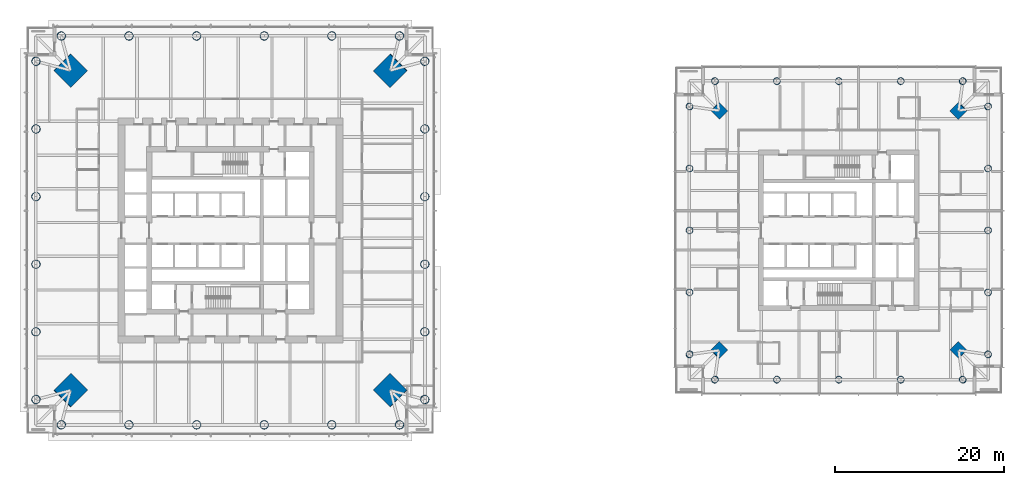
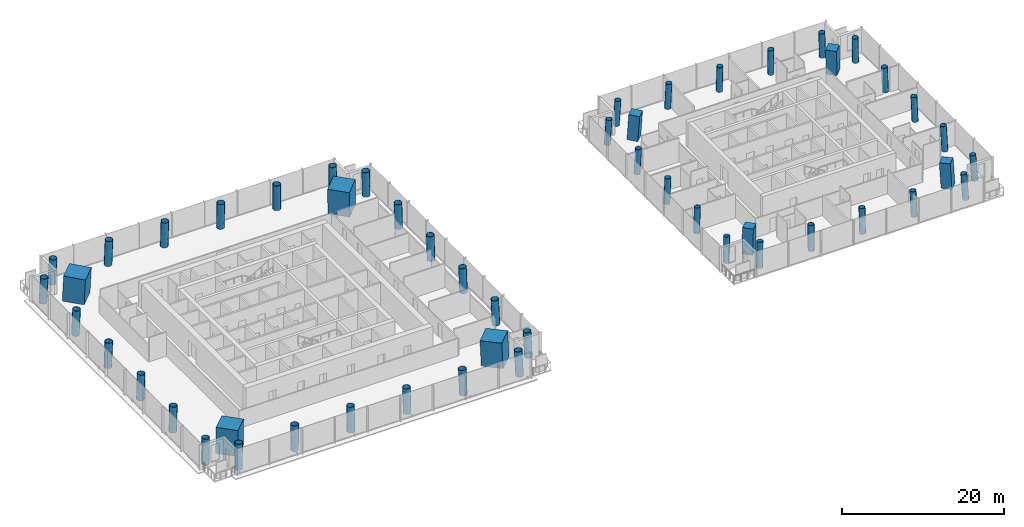
# One storey, part 1 of 26: 52 columns.
"""IFC4 building model written with IfcOpenShell, lengths in metres."""

from ifc_helpers import new_model, si_unit, direction, frame, origin, origin_2d, place, context, subcontext, project, spatial, rectangle, hollow_circle, extrude, material, material_profile, profile_set, type_object, element, save


model = new_model("IFC4")

# Units and contexts
model_context = context("Model", 3, precision=1e-05, world=origin(), true_north=direction((0.0, 1.0)))
body_context = subcontext(model_context, "Body", "Model", "MODEL_VIEW")
ifc_project = project(units=[si_unit("LENGTHUNIT", "METRE"), si_unit("AREAUNIT", "SQUARE_METRE"), si_unit("VOLUMEUNIT", "CUBIC_METRE"), si_unit("PLANEANGLEUNIT", "RADIAN"), si_unit("MASSUNIT", "GRAM", prefix="KILO")], contexts=[model_context])

# Site, building, storey
site_placement = place(None, origin())
site = spatial("IfcSite", under=ifc_project, at=site_placement, CompositionType="ELEMENT")
building_placement = place(site_placement, origin())
building = spatial("IfcBuilding", under=site, at=building_placement, Name="Ostroluk Exchange", CompositionType="ELEMENT")
storey_placement = place(building_placement, frame((0.0, 0.0, 51.39990234375)))
storey = spatial("IfcBuildingStorey", under=building, at=storey_placement, Name="L12", CompositionType="ELEMENT", Elevation=51.39990234375)

# Columns
ifc_material_1 = material(Name="Concrete C50/60", Category="concrete")
ifc_material_profile_1 = material_profile(ifc_material_1, rectangle(XDim=1.39990234375, YDim=1.39990234375, at=origin_2d()), Name="RC 1400x1400")
ifc_profile_set_1 = profile_set([ifc_material_profile_1], Name="Concrete C50/60")
column_type_1 = type_object("IfcColumnType", Name="Mega column RC 1400x1400", PredefinedType="COLUMN", material=ifc_profile_set_1)
for number, where, z_axis, x_axis, name in (
    (1, (131.189697265625, 60.189697265625, 0.0), (-0.043029647111, -0.043029647111, 0.998146732169), (0.707106781187, -0.707106781187, 0.0), "T2 mega column NE"),
    (2, (102.810302734375, 60.189697265625, 0.0), (0.043029647111, -0.043029647111, 0.998146732169), (0.707106781187, 0.707106781187, 0.0), "T2 mega column NW"),
    (3, (102.810302734375, 31.810302734375, 0.0), (0.043029647111, 0.043029647111, 0.998146732169), (-0.707106781187, 0.707106781187, 0.0), "T2 mega column SW"),
    (4, (131.189697265625, 31.810302734375, 0.0), (-0.043029647111, 0.043029647111, 0.998146732169), (-0.707106781187, -0.707106781187, 0.0), "T2 mega column SE"),
):
    element("IfcColumn", number, at=place(storey_placement, frame(where, z_axis=z_axis, x_axis=x_axis)), inside=storey, type_object=column_type_1, Name=name, PredefinedType="COLUMN", context=body_context, shape_type="SweptSolid", body=[
        extrude(rectangle(XDim=1.39990234375, YDim=1.39990234375, at=origin_2d()), origin(), (0.0, 0.0, 1.0), 3.80712890625),
    ])
ifc_material_2 = material(Name="Concrete C50/60", Category="concrete")
ifc_material_profile_2 = material_profile(ifc_material_2, rectangle(XDim=2.800048828125, YDim=2.800048828125, at=origin_2d()), Name="RC 2800x2800")
ifc_profile_set_2 = profile_set([ifc_material_profile_2], Name="Concrete C50/60")
column_type_2 = type_object("IfcColumnType", Name="Mega column RC 2800x2800", PredefinedType="COLUMN", material=ifc_profile_set_2)
for number, where, z_axis, x_axis, name in (
    (5, (63.928466796875, 64.928466796875, 0.0), (-0.031898107953, -0.031898107953, 0.998981992539), (0.707106781187, -0.707106781187, 0.0), "T1 mega column NE"),
    (6, (26.071533203125, 64.928466796875, 0.0), (0.031898107953, -0.031898107953, 0.998981992539), (0.707106781187, 0.707106781187, 0.0), "T1 mega column NW"),
    (7, (26.071533203125, 27.071533203125, 0.0), (0.031898107953, 0.031898107953, 0.998981992539), (-0.707106781187, 0.707106781187, 0.0), "T1 mega column SW"),
    (8, (63.928466796875, 27.071533203125, 0.0), (-0.031898107953, 0.031898107953, 0.998981992539), (-0.707106781187, -0.707106781187, 0.0), "T1 mega column SE"),
):
    element("IfcColumn", number, at=place(storey_placement, frame(where, z_axis=z_axis, x_axis=x_axis)), inside=storey, type_object=column_type_2, Name=name, PredefinedType="COLUMN", context=body_context, shape_type="SweptSolid", body=[
        extrude(rectangle(XDim=2.800048828125, YDim=2.800048828125, at=origin_2d()), origin(), (0.0, 0.0, 1.0), 3.803955078125),
    ])
ifc_material_3 = material(Name="Steel S460", Category="steel")
ifc_material_profile_3 = material_profile(ifc_material_3, hollow_circle(Radius=0.508056640625, WallThickness=0.0400390625, at=origin_2d()), Name="CHS 1016x40")
ifc_profile_set_3 = profile_set([ifc_material_profile_3], Name="Steel S460")
column_type_3 = type_object("IfcColumnType", Name="Perimeter column CHS 1016x40", PredefinedType="COLUMN", material=ifc_profile_set_3)
for number, where, z_axis, x_axis, name in (
    (9, (68.028564453125, 25.971435546875, 0.0), (-0.031898107953, 0.031898107953, 0.998981992539), (-0.707106781187, -0.707106781187, 0.0), "T1 east face column E0"),
    (10, (68.028564453125, 66.028564453125, 0.0), (-0.031898107953, -0.031898107953, 0.998981992539), (0.707106781187, -0.707106781187, 0.0), "T1 east face column E1"),
):
    element("IfcColumn", number, at=place(storey_placement, frame(where, z_axis=z_axis, x_axis=x_axis)), inside=storey, type_object=column_type_3, Name=name, PredefinedType="COLUMN", context=body_context, shape_type="SweptSolid", body=[
        extrude(hollow_circle(Radius=0.508056640625, WallThickness=0.0400390625, at=origin_2d()), origin(), (0.0, 0.0, 1.0), 3.803955078125),
    ])
column_1_placement = place(storey_placement, frame((68.028564453125, 33.98291015625, 0.0), z_axis=(-0.031908506785, 0.019132263625, 0.999307662176), x_axis=(-0.514241961696, -0.857645150882, 0.0)))
element("IfcColumn", 11, at=column_1_placement, inside=storey, type_object=column_type_3, Name="T1 east face column I1", PredefinedType="COLUMN", context=body_context, shape_type="SweptSolid", body=[
    extrude(hollow_circle(Radius=0.508056640625, WallThickness=0.0400390625, at=origin_2d()), origin(), (0.0, 0.0, 1.0), 3.802734375),
])
for number, where, z_axis, x_axis, name in (
    (12, (68.028564453125, 41.994384765625, 0.0), (-0.031913703469, 0.006357055621, 0.999470411455), (-0.195357113251, -0.980732174603, 0.0), "T1 east face column I2"),
    (13, (68.028564453125, 50.005615234375, 0.0), (-0.031913703469, -0.006357055621, 0.999470411455), (0.195357113251, -0.980732174603, 0.0), "T1 east face column I3"),
):
    element("IfcColumn", number, at=place(storey_placement, frame(where, z_axis=z_axis, x_axis=x_axis)), inside=storey, type_object=column_type_3, Name=name, PredefinedType="COLUMN", context=body_context, shape_type="SweptSolid", body=[
        extrude(hollow_circle(Radius=0.508056640625, WallThickness=0.0400390625, at=origin_2d()), origin(), (0.0, 0.0, 1.0), 3.802001953125),
    ])
column_2_placement = place(storey_placement, frame((68.028564453125, 58.01708984375, 0.0), z_axis=(-0.031908506785, -0.019132263625, 0.999307662176), x_axis=(0.514241961696, -0.857645150882, 0.0)))
element("IfcColumn", 14, at=column_2_placement, inside=storey, type_object=column_type_3, Name="T1 east face column I4", PredefinedType="COLUMN", context=body_context, shape_type="SweptSolid", body=[
    extrude(hollow_circle(Radius=0.508056640625, WallThickness=0.0400390625, at=origin_2d()), origin(), (0.0, 0.0, 1.0), 3.802734375),
])
for number, where, z_axis, x_axis, name in (
    (15, (65.028564453125, 69.028564453125, 0.0), (-0.031898107953, -0.031898107953, 0.998981992539), (0.707106781187, -0.707106781187, 0.0), "T1 north face column E0"),
    (16, (24.971435546875, 69.028564453125, 0.0), (0.031898107953, -0.031898107953, 0.998981992539), (0.707106781187, 0.707106781187, 0.0), "T1 north face column E1"),
):
    element("IfcColumn", number, at=place(storey_placement, frame(where, z_axis=z_axis, x_axis=x_axis)), inside=storey, type_object=column_type_3, Name=name, PredefinedType="COLUMN", context=body_context, shape_type="SweptSolid", body=[
        extrude(hollow_circle(Radius=0.508056640625, WallThickness=0.0400390625, at=origin_2d()), origin(), (0.0, 0.0, 1.0), 3.803955078125),
    ])
column_3_placement = place(storey_placement, frame((57.01708984375, 69.028564453125, 0.0), z_axis=(-0.019132263625, -0.031908506785, 0.999307662176), x_axis=(0.857645150882, -0.514241961696, 0.0)))
element("IfcColumn", 17, at=column_3_placement, inside=storey, type_object=column_type_3, Name="T1 north face column I1", PredefinedType="COLUMN", context=body_context, shape_type="SweptSolid", body=[
    extrude(hollow_circle(Radius=0.508056640625, WallThickness=0.0400390625, at=origin_2d()), origin(), (0.0, 0.0, 1.0), 3.802734375),
])
for number, where, z_axis, x_axis, name in (
    (18, (49.005615234375, 69.028564453125, 0.0), (-0.006357055621, -0.031913703469, 0.999470411455), (0.980732174603, -0.195357113251, 0.0), "T1 north face column I2"),
    (19, (40.994384765625, 69.028564453125, 0.0), (0.006357055621, -0.031913703469, 0.999470411455), (0.980732174603, 0.195357113251, 0.0), "T1 north face column I3"),
):
    element("IfcColumn", number, at=place(storey_placement, frame(where, z_axis=z_axis, x_axis=x_axis)), inside=storey, type_object=column_type_3, Name=name, PredefinedType="COLUMN", context=body_context, shape_type="SweptSolid", body=[
        extrude(hollow_circle(Radius=0.508056640625, WallThickness=0.0400390625, at=origin_2d()), origin(), (0.0, 0.0, 1.0), 3.802001953125),
    ])
column_4_placement = place(storey_placement, frame((32.98291015625, 69.028564453125, 0.0), z_axis=(0.019132263625, -0.031908506785, 0.999307662176), x_axis=(0.857645150882, 0.514241961696, 0.0)))
element("IfcColumn", 20, at=column_4_placement, inside=storey, type_object=column_type_3, Name="T1 north face column I4", PredefinedType="COLUMN", context=body_context, shape_type="SweptSolid", body=[
    extrude(hollow_circle(Radius=0.508056640625, WallThickness=0.0400390625, at=origin_2d()), origin(), (0.0, 0.0, 1.0), 3.802734375),
])
for number, where, z_axis, x_axis, name in (
    (21, (21.971435546875, 66.028564453125, 0.0), (0.031898107953, -0.031898107953, 0.998981992539), (0.707106781187, 0.707106781187, 0.0), "T1 west face column E0"),
    (22, (21.971435546875, 25.971435546875, 0.0), (0.031898107953, 0.031898107953, 0.998981992539), (-0.707106781187, 0.707106781187, 0.0), "T1 west face column E1"),
):
    element("IfcColumn", number, at=place(storey_placement, frame(where, z_axis=z_axis, x_axis=x_axis)), inside=storey, type_object=column_type_3, Name=name, PredefinedType="COLUMN", context=body_context, shape_type="SweptSolid", body=[
        extrude(hollow_circle(Radius=0.508056640625, WallThickness=0.0400390625, at=origin_2d()), origin(), (0.0, 0.0, 1.0), 3.803955078125),
    ])
column_5_placement = place(storey_placement, frame((21.971435546875, 58.01708984375, 0.0), z_axis=(0.031908506785, -0.019132263625, 0.999307662176), x_axis=(0.514241961696, 0.857645150882, 0.0)))
element("IfcColumn", 23, at=column_5_placement, inside=storey, type_object=column_type_3, Name="T1 west face column I1", PredefinedType="COLUMN", context=body_context, shape_type="SweptSolid", body=[
    extrude(hollow_circle(Radius=0.508056640625, WallThickness=0.0400390625, at=origin_2d()), origin(), (0.0, 0.0, 1.0), 3.802734375),
])
for number, where, z_axis, x_axis, name in (
    (24, (21.971435546875, 50.005615234375, 0.0), (0.031913703469, -0.006357055621, 0.999470411455), (0.195357113251, 0.980732174603, 0.0), "T1 west face column I2"),
    (25, (21.971435546875, 41.994384765625, 0.0), (0.031913703469, 0.006357055621, 0.999470411455), (-0.195357113251, 0.980732174603, 0.0), "T1 west face column I3"),
):
    element("IfcColumn", number, at=place(storey_placement, frame(where, z_axis=z_axis, x_axis=x_axis)), inside=storey, type_object=column_type_3, Name=name, PredefinedType="COLUMN", context=body_context, shape_type="SweptSolid", body=[
        extrude(hollow_circle(Radius=0.508056640625, WallThickness=0.0400390625, at=origin_2d()), origin(), (0.0, 0.0, 1.0), 3.802001953125),
    ])
column_6_placement = place(storey_placement, frame((21.971435546875, 33.98291015625, 0.0), z_axis=(0.031908506785, 0.019132263625, 0.999307662176), x_axis=(-0.514241961696, 0.857645150882, 0.0)))
element("IfcColumn", 26, at=column_6_placement, inside=storey, type_object=column_type_3, Name="T1 west face column I4", PredefinedType="COLUMN", context=body_context, shape_type="SweptSolid", body=[
    extrude(hollow_circle(Radius=0.508056640625, WallThickness=0.0400390625, at=origin_2d()), origin(), (0.0, 0.0, 1.0), 3.802734375),
])
for number, where, z_axis, x_axis, name in (
    (27, (24.971435546875, 22.971435546875, 0.0), (0.031898107953, 0.031898107953, 0.998981992539), (-0.707106781187, 0.707106781187, 0.0), "T1 south face column E0"),
    (28, (65.028564453125, 22.971435546875, 0.0), (-0.031898107953, 0.031898107953, 0.998981992539), (-0.707106781187, -0.707106781187, 0.0), "T1 south face column E1"),
):
    element("IfcColumn", number, at=place(storey_placement, frame(where, z_axis=z_axis, x_axis=x_axis)), inside=storey, type_object=column_type_3, Name=name, PredefinedType="COLUMN", context=body_context, shape_type="SweptSolid", body=[
        extrude(hollow_circle(Radius=0.508056640625, WallThickness=0.0400390625, at=origin_2d()), origin(), (0.0, 0.0, 1.0), 3.803955078125),
    ])
column_7_placement = place(storey_placement, frame((32.98291015625, 22.971435546875, 0.0), z_axis=(0.019132263625, 0.031908506785, 0.999307662176), x_axis=(-0.857645150882, 0.514241961696, 0.0)))
element("IfcColumn", 29, at=column_7_placement, inside=storey, type_object=column_type_3, Name="T1 south face column I1", PredefinedType="COLUMN", context=body_context, shape_type="SweptSolid", body=[
    extrude(hollow_circle(Radius=0.508056640625, WallThickness=0.0400390625, at=origin_2d()), origin(), (0.0, 0.0, 1.0), 3.802734375),
])
for number, where, z_axis, x_axis, name in (
    (30, (40.994384765625, 22.971435546875, 0.0), (0.006357055621, 0.031913703469, 0.999470411455), (-0.980732174603, 0.195357113251, 0.0), "T1 south face column I2"),
    (31, (49.005615234375, 22.971435546875, 0.0), (-0.006357055621, 0.031913703469, 0.999470411455), (-0.980732174603, -0.195357113251, 0.0), "T1 south face column I3"),
):
    element("IfcColumn", number, at=place(storey_placement, frame(where, z_axis=z_axis, x_axis=x_axis)), inside=storey, type_object=column_type_3, Name=name, PredefinedType="COLUMN", context=body_context, shape_type="SweptSolid", body=[
        extrude(hollow_circle(Radius=0.508056640625, WallThickness=0.0400390625, at=origin_2d()), origin(), (0.0, 0.0, 1.0), 3.802001953125),
    ])
column_8_placement = place(storey_placement, frame((57.01708984375, 22.971435546875, 0.0), z_axis=(-0.019132263625, 0.031908506785, 0.999307662176), x_axis=(-0.857645150882, -0.514241961696, 0.0)))
element("IfcColumn", 32, at=column_8_placement, inside=storey, type_object=column_type_3, Name="T1 south face column I4", PredefinedType="COLUMN", context=body_context, shape_type="SweptSolid", body=[
    extrude(hollow_circle(Radius=0.508056640625, WallThickness=0.0400390625, at=origin_2d()), origin(), (0.0, 0.0, 1.0), 3.802734375),
])
ifc_material_4 = material(Name="Steel S460", Category="steel")
ifc_material_profile_4 = material_profile(ifc_material_4, hollow_circle(Radius=0.406494140625, WallThickness=0.030029296875, at=origin_2d()), Name="CHS 813x30")
ifc_profile_set_4 = profile_set([ifc_material_profile_4], Name="Steel S460")
column_type_4 = type_object("IfcColumnType", Name="Perimeter column CHS 813x30", PredefinedType="COLUMN", material=ifc_profile_set_4)
for number, where, z_axis, x_axis, name in (
    (33, (134.689697265625, 31.310302734375, 0.0), (-0.043029647111, 0.043029647111, 0.998146732169), (-0.707106781187, -0.707106781187, 0.0), "T2 east face column E0"),
    (34, (134.689697265625, 60.689697265625, 0.0), (-0.043029647111, -0.043029647111, 0.998146732169), (0.707106781187, -0.707106781187, 0.0), "T2 east face column E1"),
):
    element("IfcColumn", number, at=place(storey_placement, frame(where, z_axis=z_axis, x_axis=x_axis)), inside=storey, type_object=column_type_4, Name=name, PredefinedType="COLUMN", context=body_context, shape_type="SweptSolid", body=[
        extrude(hollow_circle(Radius=0.406494140625, WallThickness=0.030029296875, at=origin_2d()), origin(), (0.0, 0.0, 1.0), 3.80712890625),
    ])
column_9_placement = place(storey_placement, frame((134.689697265625, 38.6552734375, 0.0), z_axis=(-0.043059584825, 0.021497706284, 0.998841188968), x_axis=(-0.446680166538, -0.894693706707, 0.0)))
element("IfcColumn", 35, at=column_9_placement, inside=storey, type_object=column_type_4, Name="T2 east face column I1", PredefinedType="COLUMN", context=body_context, shape_type="SweptSolid", body=[
    extrude(hollow_circle(Radius=0.406494140625, WallThickness=0.030029296875, at=origin_2d()), origin(), (0.0, 0.0, 1.0), 3.804443359375),
])
column_10_placement = place(storey_placement, frame((134.689697265625, 46.0, 0.0), z_axis=(-0.043069538298, 0.0, 0.999072076915), x_axis=(0.0, -1.0, 0.0)))
element("IfcColumn", 36, at=column_10_placement, inside=storey, type_object=column_type_4, Name="T2 east face column I2", PredefinedType="COLUMN", context=body_context, shape_type="SweptSolid", body=[
    extrude(hollow_circle(Radius=0.406494140625, WallThickness=0.030029296875, at=origin_2d()), origin(), (0.0, 0.0, 1.0), 3.803466796875),
])
column_11_placement = place(storey_placement, frame((134.689697265625, 53.3447265625, 0.0), z_axis=(-0.043059584825, -0.021497706284, 0.998841188968), x_axis=(0.446680166538, -0.894693706707, 0.0)))
element("IfcColumn", 37, at=column_11_placement, inside=storey, type_object=column_type_4, Name="T2 east face column I3", PredefinedType="COLUMN", context=body_context, shape_type="SweptSolid", body=[
    extrude(hollow_circle(Radius=0.406494140625, WallThickness=0.030029296875, at=origin_2d()), origin(), (0.0, 0.0, 1.0), 3.804443359375),
])
for number, where, z_axis, x_axis, name in (
    (38, (131.689697265625, 63.689697265625, 0.0), (-0.043029647111, -0.043029647111, 0.998146732169), (0.707106781187, -0.707106781187, 0.0), "T2 north face column E0"),
    (39, (102.310302734375, 63.689697265625, 0.0), (0.043029647111, -0.043029647111, 0.998146732169), (0.707106781187, 0.707106781187, 0.0), "T2 north face column E1"),
):
    element("IfcColumn", number, at=place(storey_placement, frame(where, z_axis=z_axis, x_axis=x_axis)), inside=storey, type_object=column_type_4, Name=name, PredefinedType="COLUMN", context=body_context, shape_type="SweptSolid", body=[
        extrude(hollow_circle(Radius=0.406494140625, WallThickness=0.030029296875, at=origin_2d()), origin(), (0.0, 0.0, 1.0), 3.80712890625),
    ])
column_12_placement = place(storey_placement, frame((124.3447265625, 63.689697265625, 0.0), z_axis=(-0.021497706284, -0.043059584825, 0.998841188968), x_axis=(0.894693706707, -0.446680166538, 0.0)))
element("IfcColumn", 40, at=column_12_placement, inside=storey, type_object=column_type_4, Name="T2 north face column I1", PredefinedType="COLUMN", context=body_context, shape_type="SweptSolid", body=[
    extrude(hollow_circle(Radius=0.406494140625, WallThickness=0.030029296875, at=origin_2d()), origin(), (0.0, 0.0, 1.0), 3.804443359375),
])
column_13_placement = place(storey_placement, frame((117.0, 63.689697265625, 0.0), z_axis=(0.0, -0.043069538298, 0.999072076915), x_axis=(1.0, 0.0, 0.0)))
element("IfcColumn", 41, at=column_13_placement, inside=storey, type_object=column_type_4, Name="T2 north face column I2", PredefinedType="COLUMN", context=body_context, shape_type="SweptSolid", body=[
    extrude(hollow_circle(Radius=0.406494140625, WallThickness=0.030029296875, at=origin_2d()), origin(), (0.0, 0.0, 1.0), 3.803466796875),
])
column_14_placement = place(storey_placement, frame((109.6552734375, 63.689697265625, 0.0), z_axis=(0.021497706284, -0.043059584825, 0.998841188968), x_axis=(0.894693706707, 0.446680166538, 0.0)))
element("IfcColumn", 42, at=column_14_placement, inside=storey, type_object=column_type_4, Name="T2 north face column I3", PredefinedType="COLUMN", context=body_context, shape_type="SweptSolid", body=[
    extrude(hollow_circle(Radius=0.406494140625, WallThickness=0.030029296875, at=origin_2d()), origin(), (0.0, 0.0, 1.0), 3.804443359375),
])
for number, where, z_axis, x_axis, name in (
    (43, (99.310302734375, 60.689697265625, 0.0), (0.043029647111, -0.043029647111, 0.998146732169), (0.707106781187, 0.707106781187, 0.0), "T2 west face column E0"),
    (44, (99.310302734375, 31.310302734375, 0.0), (0.043029647111, 0.043029647111, 0.998146732169), (-0.707106781187, 0.707106781187, 0.0), "T2 west face column E1"),
):
    element("IfcColumn", number, at=place(storey_placement, frame(where, z_axis=z_axis, x_axis=x_axis)), inside=storey, type_object=column_type_4, Name=name, PredefinedType="COLUMN", context=body_context, shape_type="SweptSolid", body=[
        extrude(hollow_circle(Radius=0.406494140625, WallThickness=0.030029296875, at=origin_2d()), origin(), (0.0, 0.0, 1.0), 3.80712890625),
    ])
column_15_placement = place(storey_placement, frame((99.310302734375, 53.3447265625, 0.0), z_axis=(0.043059584825, -0.021497706284, 0.998841188968), x_axis=(0.446680166538, 0.894693706707, 0.0)))
element("IfcColumn", 45, at=column_15_placement, inside=storey, type_object=column_type_4, Name="T2 west face column I1", PredefinedType="COLUMN", context=body_context, shape_type="SweptSolid", body=[
    extrude(hollow_circle(Radius=0.406494140625, WallThickness=0.030029296875, at=origin_2d()), origin(), (0.0, 0.0, 1.0), 3.804443359375),
])
column_16_placement = place(storey_placement, frame((99.310302734375, 46.0, 0.0), z_axis=(0.043069538298, 0.0, 0.999072076915), x_axis=(0.0, 1.0, 0.0)))
element("IfcColumn", 46, at=column_16_placement, inside=storey, type_object=column_type_4, Name="T2 west face column I2", PredefinedType="COLUMN", context=body_context, shape_type="SweptSolid", body=[
    extrude(hollow_circle(Radius=0.406494140625, WallThickness=0.030029296875, at=origin_2d()), origin(), (0.0, 0.0, 1.0), 3.803466796875),
])
column_17_placement = place(storey_placement, frame((99.310302734375, 38.6552734375, 0.0), z_axis=(0.043059584825, 0.021497706284, 0.998841188968), x_axis=(-0.446680166538, 0.894693706707, 0.0)))
element("IfcColumn", 47, at=column_17_placement, inside=storey, type_object=column_type_4, Name="T2 west face column I3", PredefinedType="COLUMN", context=body_context, shape_type="SweptSolid", body=[
    extrude(hollow_circle(Radius=0.406494140625, WallThickness=0.030029296875, at=origin_2d()), origin(), (0.0, 0.0, 1.0), 3.804443359375),
])
for number, where, z_axis, x_axis, name in (
    (48, (102.310302734375, 28.310302734375, 0.0), (0.043029647111, 0.043029647111, 0.998146732169), (-0.707106781187, 0.707106781187, 0.0), "T2 south face column E0"),
    (49, (131.689697265625, 28.310302734375, 0.0), (-0.043029647111, 0.043029647111, 0.998146732169), (-0.707106781187, -0.707106781187, 0.0), "T2 south face column E1"),
):
    element("IfcColumn", number, at=place(storey_placement, frame(where, z_axis=z_axis, x_axis=x_axis)), inside=storey, type_object=column_type_4, Name=name, PredefinedType="COLUMN", context=body_context, shape_type="SweptSolid", body=[
        extrude(hollow_circle(Radius=0.406494140625, WallThickness=0.030029296875, at=origin_2d()), origin(), (0.0, 0.0, 1.0), 3.80712890625),
    ])
column_18_placement = place(storey_placement, frame((109.6552734375, 28.310302734375, 0.0), z_axis=(0.021497706284, 0.043059584825, 0.998841188968), x_axis=(-0.894693706707, 0.446680166538, 0.0)))
element("IfcColumn", 50, at=column_18_placement, inside=storey, type_object=column_type_4, Name="T2 south face column I1", PredefinedType="COLUMN", context=body_context, shape_type="SweptSolid", body=[
    extrude(hollow_circle(Radius=0.406494140625, WallThickness=0.030029296875, at=origin_2d()), origin(), (0.0, 0.0, 1.0), 3.804443359375),
])
column_19_placement = place(storey_placement, frame((117.0, 28.310302734375, 0.0), z_axis=(0.0, 0.043069538298, 0.999072076915), x_axis=(-1.0, 0.0, 0.0)))
element("IfcColumn", 51, at=column_19_placement, inside=storey, type_object=column_type_4, Name="T2 south face column I2", PredefinedType="COLUMN", context=body_context, shape_type="SweptSolid", body=[
    extrude(hollow_circle(Radius=0.406494140625, WallThickness=0.030029296875, at=origin_2d()), origin(), (0.0, 0.0, 1.0), 3.803466796875),
])
column_20_placement = place(storey_placement, frame((124.3447265625, 28.310302734375, 0.0), z_axis=(-0.021497706284, 0.043059584825, 0.998841188968), x_axis=(-0.894693706707, -0.446680166538, 0.0)))
element("IfcColumn", 52, at=column_20_placement, inside=storey, type_object=column_type_4, Name="T2 south face column I3", PredefinedType="COLUMN", context=body_context, shape_type="SweptSolid", body=[
    extrude(hollow_circle(Radius=0.406494140625, WallThickness=0.030029296875, at=origin_2d()), origin(), (0.0, 0.0, 1.0), 3.804443359375),
])

save(model, "model.ifc")
